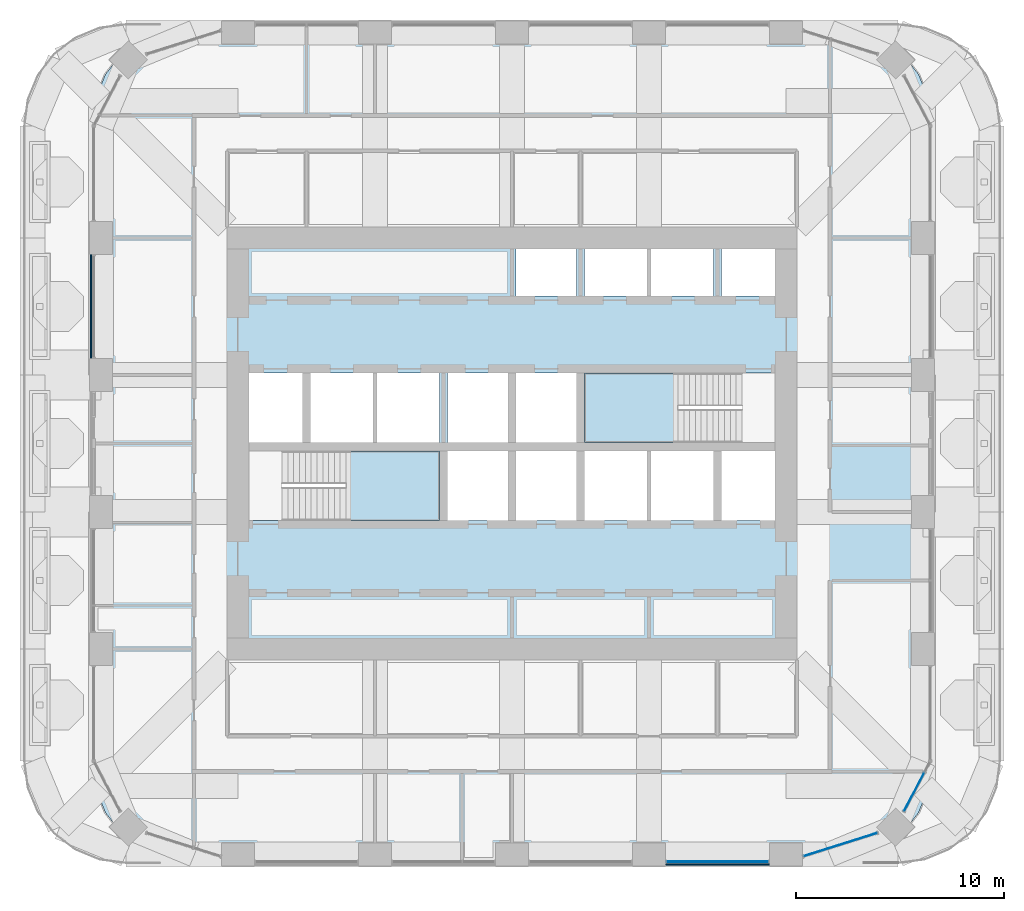
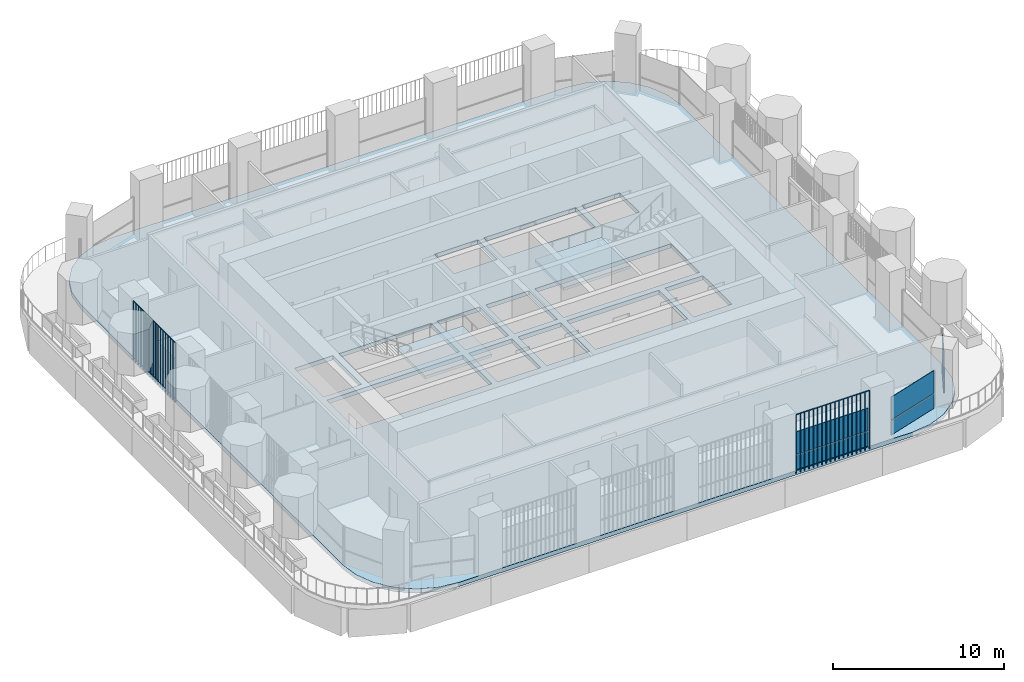
# One storey, part 10 of 24: 8 plates, 3 slabs, 5 elements without a shape of their own.
"""IFC4 building model written with IfcOpenShell, lengths in metres."""

from ifc_helpers import new_model, si_unit, direction, frame, origin, origin_2d, place, context, subcontext, project, spatial, polyline, rectangle, outline, extrude, material, layer, layer_set, type_object, element, aggregate, save


model = new_model("IFC4")

# Units and contexts
model_context = context("Model", 3, precision=1e-05, world=origin(), true_north=direction((0.0, 1.0)))
body_context = subcontext(model_context, "Body", "Model", "MODEL_VIEW")
ifc_project = project(units=[si_unit("LENGTHUNIT", "METRE"), si_unit("AREAUNIT", "SQUARE_METRE"), si_unit("VOLUMEUNIT", "CUBIC_METRE"), si_unit("PLANEANGLEUNIT", "RADIAN"), si_unit("MASSUNIT", "GRAM", prefix="KILO")], contexts=[model_context])

# Site, building, storey
site_placement = place(None, origin())
site = spatial("IfcSite", under=ifc_project, at=site_placement, CompositionType="ELEMENT")
building_placement = place(site_placement, origin())
building = spatial("IfcBuilding", under=site, at=building_placement, Name="Cobogo Forest Laboratory Tower", CompositionType="ELEMENT")
storey_placement = place(building_placement, frame((0.0, 0.0, 229.199951171875)))
storey = spatial("IfcBuildingStorey", under=building, at=storey_placement, Name="L52", CompositionType="ELEMENT", Elevation=229.199951171875)

# Slab
ifc_material_1 = material(Name="Concrete HA-40 (C40/50)", Category="concrete")
ifc_layer_1 = layer(ifc_material_1, 0.300048828125)
ifc_layer_set_1 = layer_set([ifc_layer_1], Name="Floor slab 300")
slab_type_1 = type_object("IfcSlabType", Name="Floor slab 300", PredefinedType="FLOOR", material=ifc_layer_set_1)
slab_1_placement = place(storey_placement, frame((0.0, 0.0, -0.300048828125)))
element("IfcSlab", 1, at=slab_1_placement, inside=storey, type_object=slab_type_1, Name="L52 floor slab", PredefinedType="FLOOR", context=body_context, shape_type="SweptSolid", body=[
    extrude(outline(polyline([(41.699951171875, 2.85009765625), (42.981201171875, 3.0185546875), (44.175048828125, 3.51318359375), (45.2001953125, 4.2998046875), (45.98681640625, 5.324951171875), (46.4814453125, 6.518798828125), (46.64990234375, 7.800048828125), (46.64990234375, 38.39990234375), (46.4814453125, 39.68115234375), (45.98681640625, 40.875), (45.2001953125, 41.900146484375), (44.175048828125, 42.686767578125), (42.981201171875, 43.181396484375), (41.699951171875, 43.35009765625), (11.10009765625, 43.35009765625), (9.81884765625, 43.181396484375), (8.625, 42.686767578125), (7.599853515625, 41.900146484375), (6.813232421875, 40.875), (6.318603515625, 39.68115234375), (6.14990234375, 38.39990234375), (6.14990234375, 7.800048828125), (6.318603515625, 6.518798828125), (6.813232421875, 5.324951171875), (7.599853515625, 4.2998046875), (8.625, 3.51318359375), (9.81884765625, 3.0185546875), (11.10009765625, 2.85009765625), (41.699951171875, 2.85009765625)]), holes=[polyline([(22.89990234375, 19.39990234375), (13.72509765625, 19.39990234375), (13.72509765625, 22.75), (22.89990234375, 22.75), (22.89990234375, 19.39990234375)]), polyline([(26.199951171875, 19.39990234375), (23.300048828125, 19.39990234375), (23.300048828125, 22.75), (26.199951171875, 22.75), (26.199951171875, 19.39990234375)]), polyline([(29.5, 19.39990234375), (26.60009765625, 19.39990234375), (26.60009765625, 22.75), (29.5, 22.75), (29.5, 19.39990234375)]), polyline([(36.10009765625, 22.75), (36.10009765625, 19.39990234375), (29.89990234375, 19.39990234375), (29.89990234375, 22.75), (36.10009765625, 22.75)]), polyline([(39.074951171875, 19.39990234375), (36.5, 19.39990234375), (36.5, 22.75), (39.074951171875, 22.75), (39.074951171875, 19.39990234375)]), polyline([(16.300048828125, 23.14990234375), (13.72509765625, 23.14990234375), (13.72509765625, 26.5), (16.300048828125, 26.5), (16.300048828125, 23.14990234375)]), polyline([(22.89990234375, 26.5), (22.89990234375, 23.14990234375), (16.699951171875, 23.14990234375), (16.699951171875, 26.5), (22.89990234375, 26.5)]), polyline([(26.199951171875, 23.14990234375), (23.300048828125, 23.14990234375), (23.300048828125, 26.5), (26.199951171875, 26.5), (26.199951171875, 23.14990234375)]), polyline([(29.5, 23.14990234375), (26.60009765625, 23.14990234375), (26.60009765625, 26.5), (29.5, 26.5), (29.5, 23.14990234375)]), polyline([(39.074951171875, 23.14990234375), (29.89990234375, 23.14990234375), (29.89990234375, 26.5), (39.074951171875, 26.5), (39.074951171875, 23.14990234375)]), polyline([(29.5, 30.199951171875), (26.60009765625, 30.199951171875), (26.60009765625, 32.47509765625), (29.5, 32.47509765625), (29.5, 30.199951171875)]), polyline([(36.10009765625, 32.47509765625), (36.10009765625, 30.199951171875), (29.89990234375, 30.199951171875), (29.89990234375, 32.47509765625), (36.10009765625, 32.47509765625)]), polyline([(39.074951171875, 30.199951171875), (36.5, 30.199951171875), (36.5, 32.47509765625), (39.074951171875, 32.47509765625), (39.074951171875, 30.199951171875)])]), origin(), (0.0, 0.0, 1.0), 0.300048828125),
])

# Curtain wall, plates
ifc_material_2 = material(Name="Aluminium curtain wall", Category="aluminium")
curtain_wall_type = type_object("IfcCurtainWallType", Name="CW-2 unitised curtain wall, solar control glazing, laboratory floors zones C and D", PredefinedType="USERDEFINED", material=ifc_material_2)
curtain_wall_1_placement = place(storey_placement, origin())
curtain_wall_1 = element("IfcCurtainWall", 2, at=curtain_wall_1_placement, inside=storey, type_object=curtain_wall_type, Name="Curtain wall 04 L52", ObjectType="UNITISED CURTAIN WALL", PredefinedType="USERDEFINED")
ifc_material_3 = material(Name="Solar control insulated glass", Category="glass")
ifc_layer_2 = layer(ifc_material_3, 0.031982421875)
ifc_layer_set_2 = layer_set([ifc_layer_2], Name="GP-2 solar control glass unit 32")
plate_type_1 = type_object("IfcPlateType", Name="GP-2 solar control glass unit 32", PredefinedType="CURTAIN_PANEL", material=ifc_layer_set_2)
plate_1_placement = place(storey_placement, frame((36.300048828125, 2.949951171875, 0.0), z_axis=(0.0, 0.0, 1.0), x_axis=(1.0, 0.0, 0.0)))
plate_1 = element("IfcPlate", 3, at=plate_1_placement, type_object=plate_type_1, Name="CW-2 panel 1.1", PredefinedType="CURTAIN_PANEL", context=body_context, shape_type="SweptSolid", body=[
    extrude(rectangle(XDim=4.8798828125, YDim=0.031982421875, at=origin_2d()), origin(), (0.0, 0.0, 1.0), 1.02001953125),
])
plate_2_placement = place(storey_placement, frame((36.300048828125, 2.949951171875, 1.080078125), z_axis=(0.0, 0.0, 1.0), x_axis=(1.0, 0.0, 0.0)))
plate_2 = element("IfcPlate", 4, at=plate_2_placement, type_object=plate_type_1, Name="CW-2 panel 1.2", PredefinedType="CURTAIN_PANEL", context=body_context, shape_type="SweptSolid", body=[
    extrude(rectangle(XDim=4.8798828125, YDim=0.031982421875, at=origin_2d()), origin(), (0.0, 0.0, 1.0), 1.6201171875),
])
aggregate(curtain_wall_1, [plate_1, plate_2])

curtain_wall_2_placement = place(storey_placement, origin())
curtain_wall_2 = element("IfcCurtainWall", 5, at=curtain_wall_2_placement, inside=storey, type_object=curtain_wall_type, Name="Curtain wall 05 L52", ObjectType="UNITISED CURTAIN WALL", PredefinedType="USERDEFINED")
plate_3_placement = place(storey_placement, frame((42.221923828125, 3.778076171875, 0.0), z_axis=(0.0, 0.0, 1.0), x_axis=(0.953581351952, 0.301135526315, 0.0)))
plate_3 = element("IfcPlate", 6, at=plate_3_placement, type_object=plate_type_1, Name="CW-2 panel 1.1", PredefinedType="CURTAIN_PANEL", context=body_context, shape_type="SweptSolid", body=[
    extrude(rectangle(XDim=3.700927734375, YDim=0.031982421875, at=origin_2d()), origin(), (0.0, 0.0, 1.0), 1.02001953125),
])
plate_4_placement = place(storey_placement, frame((42.221923828125, 3.778076171875, 1.080078125), z_axis=(0.0, 0.0, 1.0), x_axis=(0.953581351952, 0.301135526315, 0.0)))
plate_4 = element("IfcPlate", 7, at=plate_4_placement, type_object=plate_type_1, Name="CW-2 panel 1.2", PredefinedType="CURTAIN_PANEL", context=body_context, shape_type="SweptSolid", body=[
    extrude(rectangle(XDim=3.700927734375, YDim=0.031982421875, at=origin_2d()), origin(), (0.0, 0.0, 1.0), 1.6201171875),
])
aggregate(curtain_wall_2, [plate_3, plate_4])

curtain_wall_3_placement = place(storey_placement, origin())
curtain_wall_3 = element("IfcCurtainWall", 8, at=curtain_wall_3_placement, inside=storey, type_object=curtain_wall_type, Name="Curtain wall 06 L52", ObjectType="UNITISED CURTAIN WALL", PredefinedType="USERDEFINED")
plate_5_placement = place(storey_placement, frame((45.77197265625, 6.315673828125, 0.0), z_axis=(0.0, 0.0, 1.0), x_axis=(0.464283685186, 0.885686547075, 0.0)))
plate_5 = element("IfcPlate", 9, at=plate_5_placement, type_object=plate_type_1, Name="CW-2 panel 1.1", PredefinedType="CURTAIN_PANEL", context=body_context, shape_type="SweptSolid", body=[
    extrude(rectangle(XDim=2.0791015625, YDim=0.031982421875, at=origin_2d()), origin(), (0.0, 0.0, 1.0), 1.02001953125),
])
plate_6_placement = place(storey_placement, frame((45.77197265625, 6.315673828125, 1.080078125), z_axis=(0.0, 0.0, 1.0), x_axis=(0.464283685186, 0.885686547075, 0.0)))
plate_6 = element("IfcPlate", 10, at=plate_6_placement, type_object=plate_type_1, Name="CW-2 panel 1.2", PredefinedType="CURTAIN_PANEL", context=body_context, shape_type="SweptSolid", body=[
    extrude(rectangle(XDim=2.0791015625, YDim=0.031982421875, at=origin_2d()), origin(), (0.0, 0.0, 1.0), 1.6201171875),
])
aggregate(curtain_wall_3, [plate_5, plate_6])

# Stair, slab
ifc_material_4 = material(Name="Precast concrete HA-40 (C40/50)", Category="concrete")
stair_type = type_object("IfcStairType", Name="ST24 exit stair 24 risers", PredefinedType="HALF_TURN_STAIR", material=ifc_material_4)
stair_1_placement = place(storey_placement, origin())
stair_1 = element("IfcStair", 11, at=stair_1_placement, inside=storey, type_object=stair_type, Name="Stair 1 L52 to L53", PredefinedType="HALF_TURN_STAIR")
ifc_layer_3 = layer(ifc_material_1, 0.199951171875)
ifc_layer_set_3 = layer_set([ifc_layer_3], Name="SL stair landing 200")
slab_type_2 = type_object("IfcSlabType", Name="SL stair landing 200", PredefinedType="LANDING", material=ifc_layer_set_3)
slab_2_placement = place(storey_placement, frame((0.0, 0.0, 1.900146484375)))
slab_2 = element("IfcSlab", 12, at=slab_2_placement, type_object=slab_type_2, Name="ST1 landing 2", PredefinedType="LANDING", context=body_context, shape_type="SweptSolid", body=[
    extrude(outline(polyline([(18.403076171875, 19.39990234375), (22.89990234375, 19.39990234375), (22.89990234375, 22.75), (18.403076171875, 22.75), (18.403076171875, 19.39990234375)])), origin(), (0.0, 0.0, 1.0), 0.199951171875),
])
aggregate(stair_1, [slab_2])

stair_2_placement = place(storey_placement, origin())
stair_2 = element("IfcStair", 13, at=stair_2_placement, inside=storey, type_object=stair_type, Name="Stair 2 L52 to L53", PredefinedType="HALF_TURN_STAIR")
slab_3_placement = place(storey_placement, frame((0.0, 0.0, 1.900146484375)))
slab_3 = element("IfcSlab", 14, at=slab_3_placement, type_object=slab_type_2, Name="ST2 landing 2", PredefinedType="LANDING", context=body_context, shape_type="SweptSolid", body=[
    extrude(outline(polyline([(29.89990234375, 23.14990234375), (34.39697265625, 23.14990234375), (34.39697265625, 26.5), (29.89990234375, 26.5), (29.89990234375, 23.14990234375)])), origin(), (0.0, 0.0, 1.0), 0.199951171875),
])
aggregate(stair_2, [slab_3])

# Plates
ifc_material_5 = material(Name="Terracotta", Category="masonry")
plate_type_2 = type_object("IfcPlateType", Name="TB1 terracotta baguette screen", PredefinedType="USERDEFINED", material=ifc_material_5)
plate_7_placement = place(storey_placement, frame((33.831298828125, 2.822021484375, -0.14990234375)))
element("IfcPlate", 15, at=plate_7_placement, inside=storey, type_object=plate_type_2, Name="Baguette screen S4 L52", ObjectType="BAGUETTE SCREEN", PredefinedType="USERDEFINED", context=body_context, shape_type="SweptSolid", body=[
    extrude(outline(polyline([(0.02880859375, 0.011962890625), (0.011962890625, 0.02880859375), (-0.011962890625, 0.02880859375), (-0.02880859375, 0.011962890625), (-0.02880859375, -0.011962890625), (-0.011962890625, -0.02880859375), (0.011962890625, -0.02880859375), (0.02880859375, -0.011962890625), (0.02880859375, 0.011962890625)])), frame((0.0, 0.0, 4.168701171875), z_axis=(1.0, 0.0, 0.0), x_axis=(0.0, 1.0, 0.0)), (0.0, 0.0, 1.0), 4.9375),
    extrude(outline(polyline([(0.02880859375, 0.011962890625), (0.011962890625, 0.02880859375), (-0.011962890625, 0.02880859375), (-0.02880859375, 0.011962890625), (-0.02880859375, -0.011962890625), (-0.011962890625, -0.02880859375), (0.011962890625, -0.02880859375), (0.02880859375, -0.011962890625), (0.02880859375, 0.011962890625)])), origin(), (0.0, 0.0, 1.0), 4.137451171875),
    extrude(outline(polyline([(0.02880859375, 0.011962890625), (0.011962890625, 0.02880859375), (-0.011962890625, 0.02880859375), (-0.02880859375, 0.011962890625), (-0.02880859375, -0.011962890625), (-0.011962890625, -0.02880859375), (0.011962890625, -0.02880859375), (0.02880859375, -0.011962890625), (0.02880859375, 0.011962890625)])), frame((0.29052734375, 0.0, 0.0)), (0.0, 0.0, 1.0), 4.137451171875),
    extrude(outline(polyline([(0.02880859375, 0.011962890625), (0.011962890625, 0.02880859375), (-0.011962890625, 0.02880859375), (-0.02880859375, 0.011962890625), (-0.02880859375, -0.011962890625), (-0.011962890625, -0.02880859375), (0.011962890625, -0.02880859375), (0.02880859375, -0.011962890625), (0.02880859375, 0.011962890625)])), frame((0.580810546875, 0.0, 0.0)), (0.0, 0.0, 1.0), 4.137451171875),
    extrude(outline(polyline([(0.02880859375, 0.011962890625), (0.011962890625, 0.02880859375), (-0.011962890625, 0.02880859375), (-0.02880859375, 0.011962890625), (-0.02880859375, -0.011962890625), (-0.011962890625, -0.02880859375), (0.011962890625, -0.02880859375), (0.02880859375, -0.011962890625), (0.02880859375, 0.011962890625)])), frame((0.871337890625, 0.0, 0.0)), (0.0, 0.0, 1.0), 4.137451171875),
    extrude(outline(polyline([(0.02880859375, 0.011962890625), (0.011962890625, 0.02880859375), (-0.011962890625, 0.02880859375), (-0.02880859375, 0.011962890625), (-0.02880859375, -0.011962890625), (-0.011962890625, -0.02880859375), (0.011962890625, -0.02880859375), (0.02880859375, -0.011962890625), (0.02880859375, 0.011962890625)])), frame((1.161865234375, 0.0, 0.0)), (0.0, 0.0, 1.0), 4.137451171875),
    extrude(outline(polyline([(0.02880859375, 0.011962890625), (0.011962890625, 0.02880859375), (-0.011962890625, 0.02880859375), (-0.02880859375, 0.011962890625), (-0.02880859375, -0.011962890625), (-0.011962890625, -0.02880859375), (0.011962890625, -0.02880859375), (0.02880859375, -0.011962890625), (0.02880859375, 0.011962890625)])), frame((1.4521484375, 0.0, 0.0)), (0.0, 0.0, 1.0), 4.137451171875),
    extrude(outline(polyline([(0.02880859375, 0.011962890625), (0.011962890625, 0.02880859375), (-0.011962890625, 0.02880859375), (-0.02880859375, 0.011962890625), (-0.02880859375, -0.011962890625), (-0.011962890625, -0.02880859375), (0.011962890625, -0.02880859375), (0.02880859375, -0.011962890625), (0.02880859375, 0.011962890625)])), frame((1.74267578125, 0.0, 0.0)), (0.0, 0.0, 1.0), 4.137451171875),
    extrude(outline(polyline([(0.02880859375, 0.011962890625), (0.011962890625, 0.02880859375), (-0.011962890625, 0.02880859375), (-0.02880859375, 0.011962890625), (-0.02880859375, -0.011962890625), (-0.011962890625, -0.02880859375), (0.011962890625, -0.02880859375), (0.02880859375, -0.011962890625), (0.02880859375, 0.011962890625)])), frame((2.033203125, 0.0, 0.0)), (0.0, 0.0, 1.0), 4.137451171875),
    extrude(outline(polyline([(0.02880859375, 0.011962890625), (0.011962890625, 0.02880859375), (-0.011962890625, 0.02880859375), (-0.02880859375, 0.011962890625), (-0.02880859375, -0.011962890625), (-0.011962890625, -0.02880859375), (0.011962890625, -0.02880859375), (0.02880859375, -0.011962890625), (0.02880859375, 0.011962890625)])), frame((2.323486328125, 0.0, 0.0)), (0.0, 0.0, 1.0), 4.137451171875),
    extrude(outline(polyline([(0.02880859375, 0.011962890625), (0.011962890625, 0.02880859375), (-0.011962890625, 0.02880859375), (-0.02880859375, 0.011962890625), (-0.02880859375, -0.011962890625), (-0.011962890625, -0.02880859375), (0.011962890625, -0.02880859375), (0.02880859375, -0.011962890625), (0.02880859375, 0.011962890625)])), frame((2.614013671875, 0.0, 0.0)), (0.0, 0.0, 1.0), 4.137451171875),
    extrude(outline(polyline([(0.02880859375, 0.011962890625), (0.011962890625, 0.02880859375), (-0.011962890625, 0.02880859375), (-0.02880859375, 0.011962890625), (-0.02880859375, -0.011962890625), (-0.011962890625, -0.02880859375), (0.011962890625, -0.02880859375), (0.02880859375, -0.011962890625), (0.02880859375, 0.011962890625)])), frame((2.904296875, 0.0, 0.0)), (0.0, 0.0, 1.0), 4.137451171875),
    extrude(outline(polyline([(0.02880859375, 0.011962890625), (0.011962890625, 0.02880859375), (-0.011962890625, 0.02880859375), (-0.02880859375, 0.011962890625), (-0.02880859375, -0.011962890625), (-0.011962890625, -0.02880859375), (0.011962890625, -0.02880859375), (0.02880859375, -0.011962890625), (0.02880859375, 0.011962890625)])), frame((3.19482421875, 0.0, 0.0)), (0.0, 0.0, 1.0), 4.137451171875),
    extrude(outline(polyline([(0.02880859375, 0.011962890625), (0.011962890625, 0.02880859375), (-0.011962890625, 0.02880859375), (-0.02880859375, 0.011962890625), (-0.02880859375, -0.011962890625), (-0.011962890625, -0.02880859375), (0.011962890625, -0.02880859375), (0.02880859375, -0.011962890625), (0.02880859375, 0.011962890625)])), frame((3.4853515625, 0.0, 0.0)), (0.0, 0.0, 1.0), 4.137451171875),
    extrude(outline(polyline([(0.02880859375, 0.011962890625), (0.011962890625, 0.02880859375), (-0.011962890625, 0.02880859375), (-0.02880859375, 0.011962890625), (-0.02880859375, -0.011962890625), (-0.011962890625, -0.02880859375), (0.011962890625, -0.02880859375), (0.02880859375, -0.011962890625), (0.02880859375, 0.011962890625)])), frame((3.775634765625, 0.0, 0.0)), (0.0, 0.0, 1.0), 4.137451171875),
    extrude(outline(polyline([(0.02880859375, 0.011962890625), (0.011962890625, 0.02880859375), (-0.011962890625, 0.02880859375), (-0.02880859375, 0.011962890625), (-0.02880859375, -0.011962890625), (-0.011962890625, -0.02880859375), (0.011962890625, -0.02880859375), (0.02880859375, -0.011962890625), (0.02880859375, 0.011962890625)])), frame((4.066162109375, 0.0, 0.0)), (0.0, 0.0, 1.0), 4.137451171875),
    extrude(outline(polyline([(0.02880859375, 0.011962890625), (0.011962890625, 0.02880859375), (-0.011962890625, 0.02880859375), (-0.02880859375, 0.011962890625), (-0.02880859375, -0.011962890625), (-0.011962890625, -0.02880859375), (0.011962890625, -0.02880859375), (0.02880859375, -0.011962890625), (0.02880859375, 0.011962890625)])), frame((4.356689453125, 0.0, 0.0)), (0.0, 0.0, 1.0), 4.137451171875),
    extrude(outline(polyline([(0.02880859375, 0.011962890625), (0.011962890625, 0.02880859375), (-0.011962890625, 0.02880859375), (-0.02880859375, 0.011962890625), (-0.02880859375, -0.011962890625), (-0.011962890625, -0.02880859375), (0.011962890625, -0.02880859375), (0.02880859375, -0.011962890625), (0.02880859375, 0.011962890625)])), frame((4.64697265625, 0.0, 0.0)), (0.0, 0.0, 1.0), 4.137451171875),
    extrude(outline(polyline([(0.02880859375, 0.011962890625), (0.011962890625, 0.02880859375), (-0.011962890625, 0.02880859375), (-0.02880859375, 0.011962890625), (-0.02880859375, -0.011962890625), (-0.011962890625, -0.02880859375), (0.011962890625, -0.02880859375), (0.02880859375, -0.011962890625), (0.02880859375, 0.011962890625)])), frame((4.9375, 0.0, 0.0)), (0.0, 0.0, 1.0), 4.137451171875),
])
plate_8_placement = place(storey_placement, frame((6.1220703125, 27.231201171875, -0.14990234375)))
element("IfcPlate", 16, at=plate_8_placement, inside=storey, type_object=plate_type_2, Name="Baguette screen W3 L52", ObjectType="BAGUETTE SCREEN", PredefinedType="USERDEFINED", context=body_context, shape_type="SweptSolid", body=[
    extrude(outline(polyline([(0.02880859375, 0.011962890625), (0.011962890625, 0.02880859375), (-0.011962890625, 0.02880859375), (-0.02880859375, 0.011962890625), (-0.02880859375, -0.011962890625), (-0.011962890625, -0.02880859375), (0.011962890625, -0.02880859375), (0.02880859375, -0.011962890625), (0.02880859375, 0.011962890625)])), frame((0.0, 0.0, 4.168701171875), z_axis=(0.0, 1.0, 0.0), x_axis=(-1.0, 0.0, 0.0)), (0.0, 0.0, 1.0), 4.9375),
    extrude(outline(polyline([(0.02880859375, 0.011962890625), (0.011962890625, 0.02880859375), (-0.011962890625, 0.02880859375), (-0.02880859375, 0.011962890625), (-0.02880859375, -0.011962890625), (-0.011962890625, -0.02880859375), (0.011962890625, -0.02880859375), (0.02880859375, -0.011962890625), (0.02880859375, 0.011962890625)])), origin(), (0.0, 0.0, 1.0), 4.137451171875),
    extrude(outline(polyline([(0.02880859375, 0.011962890625), (0.011962890625, 0.02880859375), (-0.011962890625, 0.02880859375), (-0.02880859375, 0.011962890625), (-0.02880859375, -0.011962890625), (-0.011962890625, -0.02880859375), (0.011962890625, -0.02880859375), (0.02880859375, -0.011962890625), (0.02880859375, 0.011962890625)])), frame((0.0, 0.29052734375, 0.0)), (0.0, 0.0, 1.0), 4.137451171875),
    extrude(outline(polyline([(0.02880859375, 0.011962890625), (0.011962890625, 0.02880859375), (-0.011962890625, 0.02880859375), (-0.02880859375, 0.011962890625), (-0.02880859375, -0.011962890625), (-0.011962890625, -0.02880859375), (0.011962890625, -0.02880859375), (0.02880859375, -0.011962890625), (0.02880859375, 0.011962890625)])), frame((0.0, 0.580810546875, 0.0)), (0.0, 0.0, 1.0), 4.137451171875),
    extrude(outline(polyline([(0.02880859375, 0.011962890625), (0.011962890625, 0.02880859375), (-0.011962890625, 0.02880859375), (-0.02880859375, 0.011962890625), (-0.02880859375, -0.011962890625), (-0.011962890625, -0.02880859375), (0.011962890625, -0.02880859375), (0.02880859375, -0.011962890625), (0.02880859375, 0.011962890625)])), frame((0.0, 0.871337890625, 0.0)), (0.0, 0.0, 1.0), 4.137451171875),
    extrude(outline(polyline([(0.02880859375, 0.011962890625), (0.011962890625, 0.02880859375), (-0.011962890625, 0.02880859375), (-0.02880859375, 0.011962890625), (-0.02880859375, -0.011962890625), (-0.011962890625, -0.02880859375), (0.011962890625, -0.02880859375), (0.02880859375, -0.011962890625), (0.02880859375, 0.011962890625)])), frame((0.0, 1.161865234375, 0.0)), (0.0, 0.0, 1.0), 4.137451171875),
    extrude(outline(polyline([(0.02880859375, 0.011962890625), (0.011962890625, 0.02880859375), (-0.011962890625, 0.02880859375), (-0.02880859375, 0.011962890625), (-0.02880859375, -0.011962890625), (-0.011962890625, -0.02880859375), (0.011962890625, -0.02880859375), (0.02880859375, -0.011962890625), (0.02880859375, 0.011962890625)])), frame((0.0, 1.4521484375, 0.0)), (0.0, 0.0, 1.0), 4.137451171875),
    extrude(outline(polyline([(0.02880859375, 0.011962890625), (0.011962890625, 0.02880859375), (-0.011962890625, 0.02880859375), (-0.02880859375, 0.011962890625), (-0.02880859375, -0.011962890625), (-0.011962890625, -0.02880859375), (0.011962890625, -0.02880859375), (0.02880859375, -0.011962890625), (0.02880859375, 0.011962890625)])), frame((0.0, 1.74267578125, 0.0)), (0.0, 0.0, 1.0), 4.137451171875),
    extrude(outline(polyline([(0.02880859375, 0.011962890625), (0.011962890625, 0.02880859375), (-0.011962890625, 0.02880859375), (-0.02880859375, 0.011962890625), (-0.02880859375, -0.011962890625), (-0.011962890625, -0.02880859375), (0.011962890625, -0.02880859375), (0.02880859375, -0.011962890625), (0.02880859375, 0.011962890625)])), frame((0.0, 2.033203125, 0.0)), (0.0, 0.0, 1.0), 4.137451171875),
    extrude(outline(polyline([(0.02880859375, 0.011962890625), (0.011962890625, 0.02880859375), (-0.011962890625, 0.02880859375), (-0.02880859375, 0.011962890625), (-0.02880859375, -0.011962890625), (-0.011962890625, -0.02880859375), (0.011962890625, -0.02880859375), (0.02880859375, -0.011962890625), (0.02880859375, 0.011962890625)])), frame((0.0, 2.323486328125, 0.0)), (0.0, 0.0, 1.0), 4.137451171875),
    extrude(outline(polyline([(0.02880859375, 0.011962890625), (0.011962890625, 0.02880859375), (-0.011962890625, 0.02880859375), (-0.02880859375, 0.011962890625), (-0.02880859375, -0.011962890625), (-0.011962890625, -0.02880859375), (0.011962890625, -0.02880859375), (0.02880859375, -0.011962890625), (0.02880859375, 0.011962890625)])), frame((0.0, 2.614013671875, 0.0)), (0.0, 0.0, 1.0), 4.137451171875),
    extrude(outline(polyline([(0.02880859375, 0.011962890625), (0.011962890625, 0.02880859375), (-0.011962890625, 0.02880859375), (-0.02880859375, 0.011962890625), (-0.02880859375, -0.011962890625), (-0.011962890625, -0.02880859375), (0.011962890625, -0.02880859375), (0.02880859375, -0.011962890625), (0.02880859375, 0.011962890625)])), frame((0.0, 2.904296875, 0.0)), (0.0, 0.0, 1.0), 4.137451171875),
    extrude(outline(polyline([(0.02880859375, 0.011962890625), (0.011962890625, 0.02880859375), (-0.011962890625, 0.02880859375), (-0.02880859375, 0.011962890625), (-0.02880859375, -0.011962890625), (-0.011962890625, -0.02880859375), (0.011962890625, -0.02880859375), (0.02880859375, -0.011962890625), (0.02880859375, 0.011962890625)])), frame((0.0, 3.19482421875, 0.0)), (0.0, 0.0, 1.0), 4.137451171875),
    extrude(outline(polyline([(0.02880859375, 0.011962890625), (0.011962890625, 0.02880859375), (-0.011962890625, 0.02880859375), (-0.02880859375, 0.011962890625), (-0.02880859375, -0.011962890625), (-0.011962890625, -0.02880859375), (0.011962890625, -0.02880859375), (0.02880859375, -0.011962890625), (0.02880859375, 0.011962890625)])), frame((0.0, 3.4853515625, 0.0)), (0.0, 0.0, 1.0), 4.137451171875),
    extrude(outline(polyline([(0.02880859375, 0.011962890625), (0.011962890625, 0.02880859375), (-0.011962890625, 0.02880859375), (-0.02880859375, 0.011962890625), (-0.02880859375, -0.011962890625), (-0.011962890625, -0.02880859375), (0.011962890625, -0.02880859375), (0.02880859375, -0.011962890625), (0.02880859375, 0.011962890625)])), frame((0.0, 3.775634765625, 0.0)), (0.0, 0.0, 1.0), 4.137451171875),
    extrude(outline(polyline([(0.02880859375, 0.011962890625), (0.011962890625, 0.02880859375), (-0.011962890625, 0.02880859375), (-0.02880859375, 0.011962890625), (-0.02880859375, -0.011962890625), (-0.011962890625, -0.02880859375), (0.011962890625, -0.02880859375), (0.02880859375, -0.011962890625), (0.02880859375, 0.011962890625)])), frame((0.0, 4.066162109375, 0.0)), (0.0, 0.0, 1.0), 4.137451171875),
    extrude(outline(polyline([(0.02880859375, 0.011962890625), (0.011962890625, 0.02880859375), (-0.011962890625, 0.02880859375), (-0.02880859375, 0.011962890625), (-0.02880859375, -0.011962890625), (-0.011962890625, -0.02880859375), (0.011962890625, -0.02880859375), (0.02880859375, -0.011962890625), (0.02880859375, 0.011962890625)])), frame((0.0, 4.356689453125, 0.0)), (0.0, 0.0, 1.0), 4.137451171875),
    extrude(outline(polyline([(0.02880859375, 0.011962890625), (0.011962890625, 0.02880859375), (-0.011962890625, 0.02880859375), (-0.02880859375, 0.011962890625), (-0.02880859375, -0.011962890625), (-0.011962890625, -0.02880859375), (0.011962890625, -0.02880859375), (0.02880859375, -0.011962890625), (0.02880859375, 0.011962890625)])), frame((0.0, 4.64697265625, 0.0)), (0.0, 0.0, 1.0), 4.137451171875),
    extrude(outline(polyline([(0.02880859375, 0.011962890625), (0.011962890625, 0.02880859375), (-0.011962890625, 0.02880859375), (-0.02880859375, 0.011962890625), (-0.02880859375, -0.011962890625), (-0.011962890625, -0.02880859375), (0.011962890625, -0.02880859375), (0.02880859375, -0.011962890625), (0.02880859375, 0.011962890625)])), frame((0.0, 4.9375, 0.0)), (0.0, 0.0, 1.0), 4.137451171875),
])

save(model, "model.ifc")
